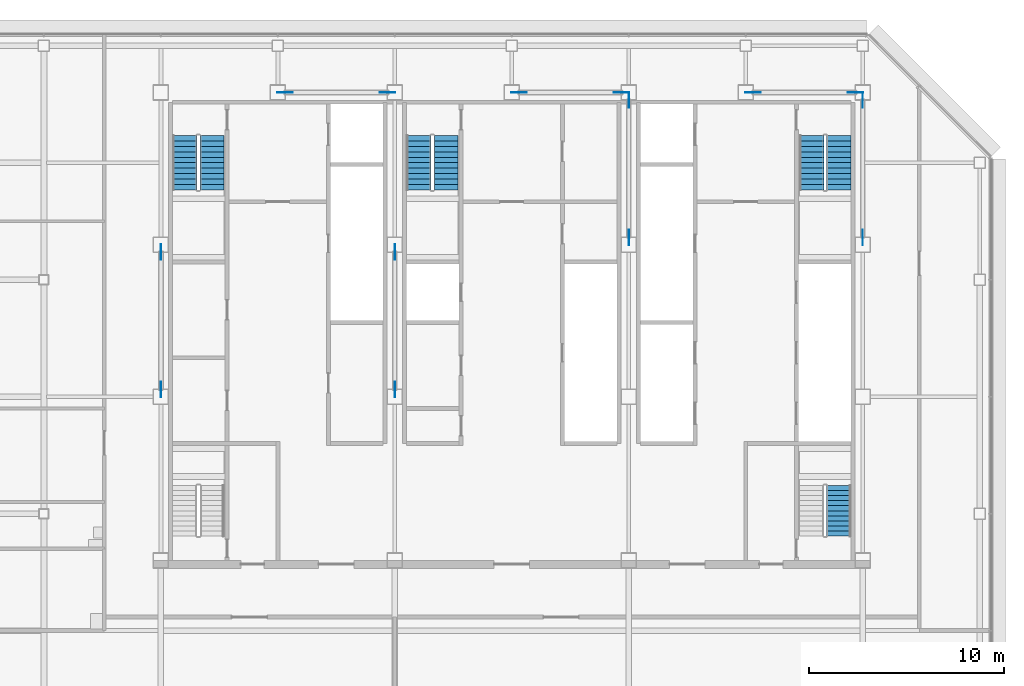
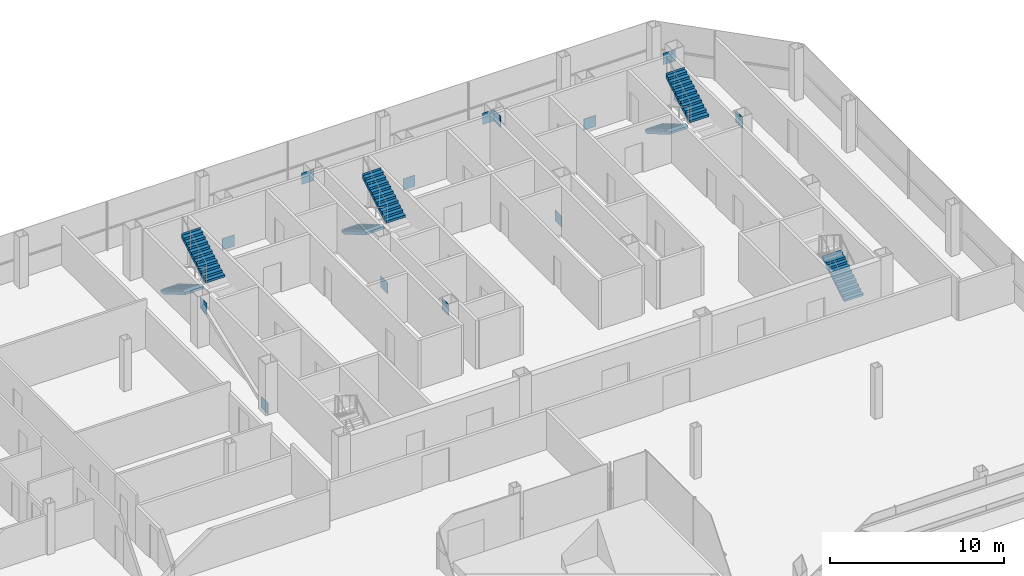
# One storey, part 23 of 27: 14 discrete accessories, 7 stair flights, 4 elements without a shape of their own.
"""IFC4 building model written with IfcOpenShell, lengths in metres."""

from ifc_helpers import new_model, si_unit, direction, frame, origin, origin_2d, place, context, subcontext, project, spatial, polyline, rectangle, outline, extrude, material, layer, layer_set, type_object, element, aggregate, save


model = new_model("IFC4")

# Units and contexts
model_context = context("Model", 3, precision=1e-05, world=origin(), true_north=direction((0.0, 1.0)))
body_context = subcontext(model_context, "Body", "Model", "MODEL_VIEW")
ifc_project = project(units=[si_unit("LENGTHUNIT", "METRE"), si_unit("AREAUNIT", "SQUARE_METRE"), si_unit("VOLUMEUNIT", "CUBIC_METRE"), si_unit("PLANEANGLEUNIT", "RADIAN"), si_unit("MASSUNIT", "GRAM", prefix="KILO")], contexts=[model_context])

# Site, building, storey
site_placement = place(None, origin())
site = spatial("IfcSite", under=ifc_project, at=site_placement, CompositionType="ELEMENT")
building_placement = place(site_placement, origin())
building = spatial("IfcBuilding", under=site, at=building_placement, Name="Sorahane Residences", CompositionType="ELEMENT")
storey_placement = place(building_placement, frame((0.0, 0.0, 298.0)))
storey = spatial("IfcBuildingStorey", under=building, at=storey_placement, Name="L70", CompositionType="ELEMENT", Elevation=298.0)

# Stair, stair flights
ifc_material_1 = material(Name="Concrete C40", Category="concrete")
stair_type = type_object("IfcStairType", Name="Dog-leg stair 1250 Concrete C40", PredefinedType="HALF_TURN_STAIR", material=ifc_material_1)
stair_1_placement = place(storey_placement, origin())
stair_1 = element("IfcStair", 1, at=stair_1_placement, inside=storey, type_object=stair_type, Name="L70 Stair S1", PredefinedType="HALF_TURN_STAIR")
ifc_material_2 = material(Name="Concrete C40", Category="concrete")
stair_flight_type = type_object("IfcStairFlightType", Name="Stair flight 1250 Concrete C40", PredefinedType="STRAIGHT", material=ifc_material_2)
stair_flight_1_placement = place(storey_placement, frame((7.22509765625, 43.39990234375, 0.0), z_axis=(0.0, 0.0, 1.0), x_axis=(0.0, -1.0, 0.0)))
stair_flight_1 = element("IfcStairFlight", 2, at=stair_flight_1_placement, type_object=stair_flight_type, Name="S1 flight 1", NumberOfRisers=11, NumberOfTreads=10, PredefinedType="STRAIGHT", RiserHeight=0.163636364, TreadLength=0.28, context=body_context, shape_type="SweptSolid", body=[
    extrude(outline(polyline([(-0.00146484375, 0.0), (-0.00146484375, 0.16357421875), (0.0, 0.16357421875), (0.280029296875, 0.16357421875), (0.280029296875, 0.327392578125), (0.56005859375, 0.327392578125), (0.56005859375, 0.490966796875), (0.840087890625, 0.490966796875), (0.840087890625, 0.654541015625), (1.1201171875, 0.654541015625), (1.1201171875, 0.818115234375), (1.39990234375, 0.818115234375), (1.39990234375, 0.98193359375), (1.679931640625, 0.98193359375), (1.679931640625, 1.1455078125), (1.9599609375, 1.1455078125), (1.9599609375, 1.30908203125), (2.239990234375, 1.30908203125), (2.239990234375, 1.47265625), (2.52001953125, 1.47265625), (2.52001953125, 1.636474609375), (2.800048828125, 1.636474609375), (2.800048828125, 1.800048828125), (2.800048828125, 1.462646484375), (2.59130859375, 1.3408203125), (2.3828125, 1.218994140625), (2.17431640625, 1.09716796875), (1.965576171875, 0.97509765625), (1.757080078125, 0.853271484375), (1.548583984375, 0.7314453125), (1.340087890625, 0.609375), (1.13134765625, 0.487548828125), (0.9228515625, 0.36572265625), (0.71435546875, 0.243896484375), (0.505615234375, 0.121826171875), (0.297119140625, 0.0), (-0.00146484375, 0.0)])), frame((0.0, 0.625, 0.0), z_axis=(0.0, -1.0, 0.0), x_axis=(1.0, 0.0, 0.0)), (0.0, 0.0, 1.0), 1.25),
])
stair_flight_2_placement = place(storey_placement, frame((8.625, 40.60009765625, 1.800048828125), z_axis=(0.0, 0.0, 1.0), x_axis=(0.0, 1.0, 0.0)))
stair_flight_2 = element("IfcStairFlight", 3, at=stair_flight_2_placement, type_object=stair_flight_type, Name="S1 flight 2", NumberOfRisers=11, NumberOfTreads=10, PredefinedType="STRAIGHT", RiserHeight=0.163636364, TreadLength=0.28, context=body_context, shape_type="SweptSolid", body=[
    extrude(outline(polyline([(0.0, 0.0), (0.0, 0.16357421875), (0.280029296875, 0.16357421875), (0.280029296875, 0.327392578125), (0.56005859375, 0.327392578125), (0.56005859375, 0.490966796875), (0.840087890625, 0.490966796875), (0.840087890625, 0.654541015625), (1.1201171875, 0.654541015625), (1.1201171875, 0.818115234375), (1.39990234375, 0.818115234375), (1.39990234375, 0.98193359375), (1.679931640625, 0.98193359375), (1.679931640625, 1.1455078125), (1.9599609375, 1.1455078125), (1.9599609375, 1.30908203125), (2.239990234375, 1.30908203125), (2.239990234375, 1.47265625), (2.52001953125, 1.47265625), (2.52001953125, 1.636474609375), (2.800048828125, 1.636474609375), (2.800048828125, 1.800048828125), (2.801513671875, 1.800048828125), (2.801513671875, 1.462646484375), (2.5927734375, 1.3408203125), (2.384033203125, 1.218994140625), (2.17529296875, 1.09716796875), (1.966796875, 0.97509765625), (1.758056640625, 0.853271484375), (1.54931640625, 0.7314453125), (1.340576171875, 0.609375), (1.1318359375, 0.487548828125), (0.923095703125, 0.36572265625), (0.714599609375, 0.243896484375), (0.505859375, 0.121826171875), (0.297119140625, 0.0), (0.0, 0.0)])), frame((0.0, 0.625, 0.0), z_axis=(0.0, -1.0, 0.0), x_axis=(1.0, 0.0, 0.0)), (0.0, 0.0, 1.0), 1.25),
])
aggregate(stair_1, [stair_flight_1, stair_flight_2])

stair_2_placement = place(storey_placement, origin())
stair_2 = element("IfcStair", 4, at=stair_2_placement, inside=storey, type_object=stair_type, Name="L70 Stair S2", PredefinedType="HALF_TURN_STAIR")
stair_flight_3_placement = place(storey_placement, frame((39.375, 43.39990234375, 0.0), z_axis=(0.0, 0.0, 1.0), x_axis=(0.0, -1.0, 0.0)))
stair_flight_3 = element("IfcStairFlight", 5, at=stair_flight_3_placement, type_object=stair_flight_type, Name="S2 flight 1", NumberOfRisers=11, NumberOfTreads=10, PredefinedType="STRAIGHT", RiserHeight=0.163636364, TreadLength=0.28, context=body_context, shape_type="SweptSolid", body=[
    extrude(outline(polyline([(-0.00146484375, 0.0), (-0.00146484375, 0.16357421875), (0.0, 0.16357421875), (0.280029296875, 0.16357421875), (0.280029296875, 0.327392578125), (0.56005859375, 0.327392578125), (0.56005859375, 0.490966796875), (0.840087890625, 0.490966796875), (0.840087890625, 0.654541015625), (1.1201171875, 0.654541015625), (1.1201171875, 0.818115234375), (1.39990234375, 0.818115234375), (1.39990234375, 0.98193359375), (1.679931640625, 0.98193359375), (1.679931640625, 1.1455078125), (1.9599609375, 1.1455078125), (1.9599609375, 1.30908203125), (2.239990234375, 1.30908203125), (2.239990234375, 1.47265625), (2.52001953125, 1.47265625), (2.52001953125, 1.636474609375), (2.800048828125, 1.636474609375), (2.800048828125, 1.800048828125), (2.800048828125, 1.462646484375), (2.59130859375, 1.3408203125), (2.3828125, 1.218994140625), (2.17431640625, 1.09716796875), (1.965576171875, 0.97509765625), (1.757080078125, 0.853271484375), (1.548583984375, 0.7314453125), (1.340087890625, 0.609375), (1.13134765625, 0.487548828125), (0.9228515625, 0.36572265625), (0.71435546875, 0.243896484375), (0.505615234375, 0.121826171875), (0.297119140625, 0.0), (-0.00146484375, 0.0)])), frame((0.0, 0.625, 0.0), z_axis=(0.0, -1.0, 0.0), x_axis=(1.0, 0.0, 0.0)), (0.0, 0.0, 1.0), 1.25),
])
stair_flight_4_placement = place(storey_placement, frame((40.77490234375, 40.60009765625, 1.800048828125), z_axis=(0.0, 0.0, 1.0), x_axis=(0.0, 1.0, 0.0)))
stair_flight_4 = element("IfcStairFlight", 6, at=stair_flight_4_placement, type_object=stair_flight_type, Name="S2 flight 2", NumberOfRisers=11, NumberOfTreads=10, PredefinedType="STRAIGHT", RiserHeight=0.163636364, TreadLength=0.28, context=body_context, shape_type="SweptSolid", body=[
    extrude(outline(polyline([(0.0, 0.0), (0.0, 0.16357421875), (0.280029296875, 0.16357421875), (0.280029296875, 0.327392578125), (0.56005859375, 0.327392578125), (0.56005859375, 0.490966796875), (0.840087890625, 0.490966796875), (0.840087890625, 0.654541015625), (1.1201171875, 0.654541015625), (1.1201171875, 0.818115234375), (1.39990234375, 0.818115234375), (1.39990234375, 0.98193359375), (1.679931640625, 0.98193359375), (1.679931640625, 1.1455078125), (1.9599609375, 1.1455078125), (1.9599609375, 1.30908203125), (2.239990234375, 1.30908203125), (2.239990234375, 1.47265625), (2.52001953125, 1.47265625), (2.52001953125, 1.636474609375), (2.800048828125, 1.636474609375), (2.800048828125, 1.800048828125), (2.801513671875, 1.800048828125), (2.801513671875, 1.462646484375), (2.5927734375, 1.3408203125), (2.384033203125, 1.218994140625), (2.17529296875, 1.09716796875), (1.966796875, 0.97509765625), (1.758056640625, 0.853271484375), (1.54931640625, 0.7314453125), (1.340576171875, 0.609375), (1.1318359375, 0.487548828125), (0.923095703125, 0.36572265625), (0.714599609375, 0.243896484375), (0.505859375, 0.121826171875), (0.297119140625, 0.0), (0.0, 0.0)])), frame((0.0, 0.625, 0.0), z_axis=(0.0, -1.0, 0.0), x_axis=(1.0, 0.0, 0.0)), (0.0, 0.0, 1.0), 1.25),
])
aggregate(stair_2, [stair_flight_3, stair_flight_4])

stair_3_placement = place(storey_placement, origin())
stair_3 = element("IfcStair", 7, at=stair_3_placement, inside=storey, type_object=stair_type, Name="L70 Stair S3", PredefinedType="HALF_TURN_STAIR")
stair_flight_5_placement = place(storey_placement, frame((19.22509765625, 43.39990234375, 0.0), z_axis=(0.0, 0.0, 1.0), x_axis=(0.0, -1.0, 0.0)))
stair_flight_5 = element("IfcStairFlight", 8, at=stair_flight_5_placement, type_object=stair_flight_type, Name="S3 flight 1", NumberOfRisers=11, NumberOfTreads=10, PredefinedType="STRAIGHT", RiserHeight=0.163636364, TreadLength=0.28, context=body_context, shape_type="SweptSolid", body=[
    extrude(outline(polyline([(-0.00146484375, 0.0), (-0.00146484375, 0.16357421875), (0.0, 0.16357421875), (0.280029296875, 0.16357421875), (0.280029296875, 0.327392578125), (0.56005859375, 0.327392578125), (0.56005859375, 0.490966796875), (0.840087890625, 0.490966796875), (0.840087890625, 0.654541015625), (1.1201171875, 0.654541015625), (1.1201171875, 0.818115234375), (1.39990234375, 0.818115234375), (1.39990234375, 0.98193359375), (1.679931640625, 0.98193359375), (1.679931640625, 1.1455078125), (1.9599609375, 1.1455078125), (1.9599609375, 1.30908203125), (2.239990234375, 1.30908203125), (2.239990234375, 1.47265625), (2.52001953125, 1.47265625), (2.52001953125, 1.636474609375), (2.800048828125, 1.636474609375), (2.800048828125, 1.800048828125), (2.800048828125, 1.462646484375), (2.59130859375, 1.3408203125), (2.3828125, 1.218994140625), (2.17431640625, 1.09716796875), (1.965576171875, 0.97509765625), (1.757080078125, 0.853271484375), (1.548583984375, 0.7314453125), (1.340087890625, 0.609375), (1.13134765625, 0.487548828125), (0.9228515625, 0.36572265625), (0.71435546875, 0.243896484375), (0.505615234375, 0.121826171875), (0.297119140625, 0.0), (-0.00146484375, 0.0)])), frame((0.0, 0.625, 0.0), z_axis=(0.0, -1.0, 0.0), x_axis=(1.0, 0.0, 0.0)), (0.0, 0.0, 1.0), 1.25),
])
stair_flight_6_placement = place(storey_placement, frame((20.625, 40.60009765625, 1.800048828125), z_axis=(0.0, 0.0, 1.0), x_axis=(0.0, 1.0, 0.0)))
stair_flight_6 = element("IfcStairFlight", 9, at=stair_flight_6_placement, type_object=stair_flight_type, Name="S3 flight 2", NumberOfRisers=11, NumberOfTreads=10, PredefinedType="STRAIGHT", RiserHeight=0.163636364, TreadLength=0.28, context=body_context, shape_type="SweptSolid", body=[
    extrude(outline(polyline([(0.0, 0.0), (0.0, 0.16357421875), (0.280029296875, 0.16357421875), (0.280029296875, 0.327392578125), (0.56005859375, 0.327392578125), (0.56005859375, 0.490966796875), (0.840087890625, 0.490966796875), (0.840087890625, 0.654541015625), (1.1201171875, 0.654541015625), (1.1201171875, 0.818115234375), (1.39990234375, 0.818115234375), (1.39990234375, 0.98193359375), (1.679931640625, 0.98193359375), (1.679931640625, 1.1455078125), (1.9599609375, 1.1455078125), (1.9599609375, 1.30908203125), (2.239990234375, 1.30908203125), (2.239990234375, 1.47265625), (2.52001953125, 1.47265625), (2.52001953125, 1.636474609375), (2.800048828125, 1.636474609375), (2.800048828125, 1.800048828125), (2.801513671875, 1.800048828125), (2.801513671875, 1.462646484375), (2.5927734375, 1.3408203125), (2.384033203125, 1.218994140625), (2.17529296875, 1.09716796875), (1.966796875, 0.97509765625), (1.758056640625, 0.853271484375), (1.54931640625, 0.7314453125), (1.340576171875, 0.609375), (1.1318359375, 0.487548828125), (0.923095703125, 0.36572265625), (0.714599609375, 0.243896484375), (0.505859375, 0.121826171875), (0.297119140625, 0.0), (0.0, 0.0)])), frame((0.0, 0.625, 0.0), z_axis=(0.0, -1.0, 0.0), x_axis=(1.0, 0.0, 0.0)), (0.0, 0.0, 1.0), 1.25),
])
aggregate(stair_3, [stair_flight_5, stair_flight_6])

# Stair, stair flight
stair_4_placement = place(storey_placement, origin())
stair_4 = element("IfcStair", 10, at=stair_4_placement, inside=storey, type_object=stair_type, Name="L70 Stair S5", PredefinedType="HALF_TURN_STAIR")
stair_flight_7_placement = place(storey_placement, frame((40.77490234375, 22.85009765625, 0.0), z_axis=(0.0, 0.0, 1.0), x_axis=(0.0, 1.0, 0.0)))
stair_flight_7 = element("IfcStairFlight", 11, at=stair_flight_7_placement, type_object=stair_flight_type, Name="S5 flight 1", NumberOfRisers=11, NumberOfTreads=10, PredefinedType="STRAIGHT", RiserHeight=0.163636364, TreadLength=0.26, context=body_context, shape_type="SweptSolid", body=[
    extrude(outline(polyline([(-0.00146484375, 0.0), (-0.00146484375, 0.16357421875), (0.0, 0.16357421875), (0.260009765625, 0.16357421875), (0.260009765625, 0.327392578125), (0.52001953125, 0.327392578125), (0.52001953125, 0.490966796875), (0.780029296875, 0.490966796875), (0.780029296875, 0.654541015625), (1.0400390625, 0.654541015625), (1.0400390625, 0.818115234375), (1.300048828125, 0.818115234375), (1.300048828125, 0.98193359375), (1.56005859375, 0.98193359375), (1.56005859375, 1.1455078125), (1.820068359375, 1.1455078125), (1.820068359375, 1.30908203125), (2.080078125, 1.30908203125), (2.080078125, 1.47265625), (2.340087890625, 1.47265625), (2.340087890625, 1.636474609375), (2.60009765625, 1.636474609375), (2.60009765625, 1.800048828125), (2.60009765625, 1.494384765625), (2.402099609375, 1.369873046875), (2.204345703125, 1.245361328125), (2.00634765625, 1.120849609375), (1.80859375, 0.996337890625), (1.610595703125, 0.871826171875), (1.412841796875, 0.747314453125), (1.21484375, 0.622802734375), (1.01708984375, 0.498046875), (0.819091796875, 0.37353515625), (0.621337890625, 0.2490234375), (0.42333984375, 0.12451171875), (0.2255859375, 0.0), (-0.00146484375, 0.0)])), frame((0.0, 0.625, 0.0), z_axis=(0.0, -1.0, 0.0), x_axis=(1.0, 0.0, 0.0)), (0.0, 0.0, 1.0), 1.25),
])
aggregate(stair_4, [stair_flight_7])

# Discrete accessories
ifc_material_3 = material(Name="Steel Q355B", Category="steel")
ifc_layer = layer(ifc_material_3, 0.02490234375)
ifc_layer_set = layer_set([ifc_layer], Name="Node plate Steel Q355B 25")
discrete_accessory_type = type_object("IfcDiscreteAccessoryType", Name="Node plate Steel Q355B 25", PredefinedType="BRACKET", material=ifc_layer_set)
for number, where, z_axis, x_axis, name in (
    (12, (6.0, 30.372802734375, -0.28564453125), (0.0, 0.0, 1.0), (0.0, 1.0, 0.0), "Node plate L70 br"),
    (13, (6.0, 37.42724609375, 2.45556640625), (0.0, 0.0, 1.0), (0.0, 1.0, 0.0), "Node plate L70 br"),
    (14, (18.0, 37.42724609375, -0.28564453125), (0.0, 0.0, 1.0), (0.0, 1.0, 0.0), "Node plate L70 br"),
    (15, (18.0, 30.372802734375, 2.45556640625), (0.0, 0.0, 1.0), (0.0, 1.0, 0.0), "Node plate L70 br"),
    (16, (30.0, 38.1728515625, -0.28564453125), (0.0, 0.0, 1.0), (0.0, 1.0, 0.0), "Node plate L70 br"),
    (17, (30.0, 45.227294921875, 2.45556640625), (0.0, 0.0, 1.0), (0.0, 1.0, 0.0), "Node plate L70 br"),
    (18, (42.0, 45.227294921875, -0.28564453125), (0.0, 0.0, 1.0), (0.0, 1.0, 0.0), "Node plate L70 br"),
    (19, (42.0, 38.1728515625, 2.45556640625), (0.0, 0.0, 1.0), (0.0, 1.0, 0.0), "Node plate L70 br"),
    (20, (12.365234375, 45.60009765625, -0.29345703125), (0.0, 0.0, 1.0), (1.0, 0.0, 0.0), "Node plate L70 br"),
    (21, (24.365234375, 45.60009765625, -0.29345703125), (0.0, 0.0, 1.0), (1.0, 0.0, 0.0), "Node plate L70 br"),
    (22, (36.365234375, 45.60009765625, -0.29345703125), (0.0, 0.0, 1.0), (1.0, 0.0, 0.0), "Node plate L70 br"),
    (23, (17.634765625, 45.60009765625, 2.46337890625), (0.0, 0.0, 1.0), (1.0, 0.0, 0.0), "Node plate L70 br"),
    (24, (29.634765625, 45.60009765625, 2.46337890625), (0.0, 0.0, 1.0), (1.0, 0.0, 0.0), "Node plate L70 br"),
    (25, (41.634765625, 45.60009765625, 2.46337890625), (0.0, 0.0, 1.0), (1.0, 0.0, 0.0), "Node plate L70 br"),
):
    element("IfcDiscreteAccessory", number, at=place(storey_placement, frame(where, z_axis=z_axis, x_axis=x_axis)), inside=storey, type_object=discrete_accessory_type, Name=name, PredefinedType="BRACKET", context=body_context, shape_type="SweptSolid", body=[
        extrude(rectangle(XDim=0.800048828125, YDim=0.02490234375, at=origin_2d()), origin(), (0.0, 0.0, 1.0), 0.800048828125),
    ])

save(model, "model.ifc")
